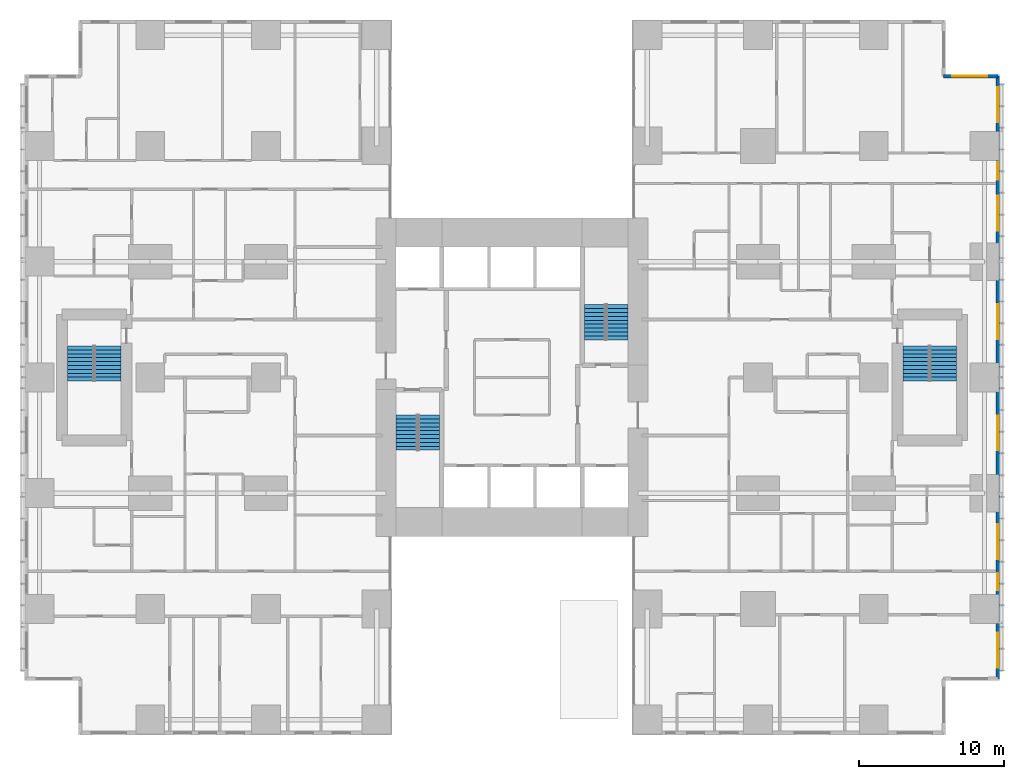
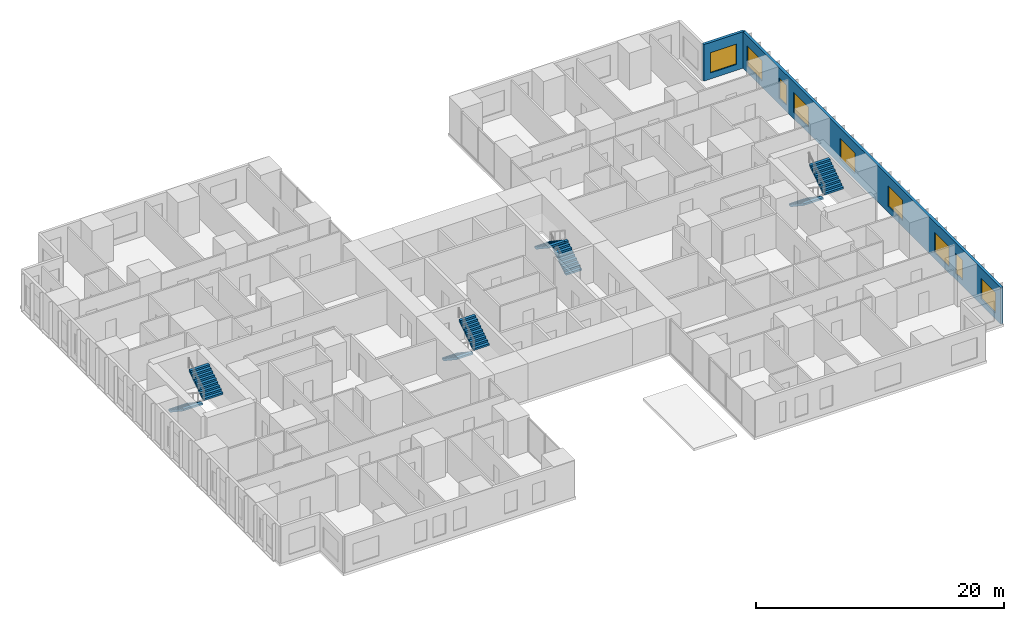
# One storey, part 21 of 22: 9 windows, 8 stair flights, 2 walls, 9 openings, 4 elements without a shape of their own.
"""IFC4 building model written with IfcOpenShell, lengths in metres."""

from ifc_helpers import new_model, si_unit, direction, frame, frame_2d, origin, place, context, subcontext, project, spatial, polyline, rectangle, outline, extrude, material, layer, layer_set, type_object, element, fill, aggregate, save


model = new_model("IFC4")

# Units and contexts
model_context = context("Model", 3, precision=1e-05, world=origin(), true_north=direction((0.0, 1.0)))
body_context = subcontext(model_context, "Body", "Model", "MODEL_VIEW")
ifc_project = project(units=[si_unit("LENGTHUNIT", "METRE"), si_unit("AREAUNIT", "SQUARE_METRE"), si_unit("VOLUMEUNIT", "CUBIC_METRE"), si_unit("PLANEANGLEUNIT", "RADIAN"), si_unit("MASSUNIT", "GRAM", prefix="KILO")], contexts=[model_context])

# Site, building, storey
site_placement = place(None, origin())
site = spatial("IfcSite", under=ifc_project, at=site_placement, CompositionType="ELEMENT")
building_placement = place(site_placement, origin())
building = spatial("IfcBuilding", under=site, at=building_placement, Name="Cleftline Residences", CompositionType="ELEMENT")
storey_placement = place(building_placement, frame((0.0, 0.0, 29.60009765625)))
storey = spatial("IfcBuildingStorey", under=building, at=storey_placement, Name="L06", CompositionType="ELEMENT", Elevation=29.60009765625)

# Wall, openings, windows
ifc_material_1 = material(Name="Rendered reinforced concrete blockwork", Category="masonry")
ifc_layer = layer(ifc_material_1, 0.25)
ifc_layer_set = layer_set([ifc_layer], Name="EXTERNAL WALL 250")
wall_type = type_object("IfcWallType", Name="EXTERNAL WALL 250", PredefinedType="SOLIDWALL", material=ifc_layer_set)
wall_1_placement = place(storey_placement, frame((66.574951171875, 3.175048828125, 0.0), z_axis=(0.0, 0.0, 1.0), x_axis=(0.0, 1.0, 0.0)))
wall_1 = element("IfcWall", 1, at=wall_1_placement, inside=storey, type_object=wall_type, Name="External wall", PredefinedType="SOLIDWALL", context=body_context, shape_type="SweptSolid", body=[
    extrude(rectangle(XDim=41.64990234375, YDim=0.25, at=frame_2d((20.824951171875, 0.0))), origin(), (0.0, 0.0, 1.0), 3.599853515625),
])
opening_1_placement = place(wall_1_placement, frame((0.77490234375, 0.0, 0.60009765625)))
opening_1 = element("IfcOpeningElement", 2, at=opening_1_placement, cuts=wall_1, Name="Opening W6", PredefinedType="OPENING", context=body_context, shape_type="SweptSolid", body=[
    extrude(rectangle(XDim=2.39990234375, YDim=2.0, at=frame_2d((1.199951171875, 1.0))), frame((0.0, 0.135009765625, 0.0), z_axis=(0.0, -1.0, 0.0), x_axis=(1.0, 0.0, 0.0)), (0.0, 0.0, 1.0), 0.27001953125),
])
opening_2_placement = place(wall_1_placement, frame((6.10009765625, 0.0, 0.60009765625)))
opening_2 = element("IfcOpeningElement", 3, at=opening_2_placement, cuts=wall_1, Name="Opening W8", PredefinedType="OPENING", context=body_context, shape_type="SweptSolid", body=[
    extrude(rectangle(XDim=1.199951171875, YDim=2.0, at=frame_2d((0.60009765625, 1.0))), frame((0.0, 0.135009765625, 0.0), z_axis=(0.0, -1.0, 0.0), x_axis=(1.0, 0.0, 0.0)), (0.0, 0.0, 1.0), 0.27001953125),
])
opening_3_placement = place(wall_1_placement, frame((8.27490234375, 0.0, 0.60009765625)))
opening_3 = element("IfcOpeningElement", 4, at=opening_3_placement, cuts=wall_1, Name="Opening W6", PredefinedType="OPENING", context=body_context, shape_type="SweptSolid", body=[
    extrude(rectangle(XDim=2.39990234375, YDim=2.0, at=frame_2d((1.199951171875, 1.0))), frame((0.0, 0.135009765625, 0.0), z_axis=(0.0, -1.0, 0.0), x_axis=(1.0, 0.0, 0.0)), (0.0, 0.0, 1.0), 0.27001953125),
])
opening_4_placement = place(wall_1_placement, frame((15.77490234375, 0.0, 0.60009765625)))
opening_4 = element("IfcOpeningElement", 5, at=opening_4_placement, cuts=wall_1, Name="Opening W6", PredefinedType="OPENING", context=body_context, shape_type="SweptSolid", body=[
    extrude(rectangle(XDim=2.39990234375, YDim=2.0, at=frame_2d((1.199951171875, 1.0))), frame((0.0, 0.135009765625, 0.0), z_axis=(0.0, -1.0, 0.0), x_axis=(1.0, 0.0, 0.0)), (0.0, 0.0, 1.0), 0.27001953125),
])
opening_5_placement = place(wall_1_placement, frame((23.47509765625, 0.0, 0.60009765625)))
opening_5 = element("IfcOpeningElement", 6, at=opening_5_placement, cuts=wall_1, Name="Opening W6", PredefinedType="OPENING", context=body_context, shape_type="SweptSolid", body=[
    extrude(rectangle(XDim=2.39990234375, YDim=2.0, at=frame_2d((1.199951171875, 1.0))), frame((0.0, 0.135009765625, 0.0), z_axis=(0.0, -1.0, 0.0), x_axis=(1.0, 0.0, 0.0)), (0.0, 0.0, 1.0), 0.27001953125),
])
opening_6_placement = place(wall_1_placement, frame((30.97509765625, 0.0, 0.60009765625)))
opening_6 = element("IfcOpeningElement", 7, at=opening_6_placement, cuts=wall_1, Name="Opening W6", PredefinedType="OPENING", context=body_context, shape_type="SweptSolid", body=[
    extrude(rectangle(XDim=2.39990234375, YDim=2.0, at=frame_2d((1.199951171875, 1.0))), frame((0.0, 0.135009765625, 0.0), z_axis=(0.0, -1.0, 0.0), x_axis=(1.0, 0.0, 0.0)), (0.0, 0.0, 1.0), 0.27001953125),
])
opening_7_placement = place(wall_1_placement, frame((34.5, 0.0, 0.60009765625)))
opening_7 = element("IfcOpeningElement", 8, at=opening_7_placement, cuts=wall_1, Name="Opening W8", PredefinedType="OPENING", context=body_context, shape_type="SweptSolid", body=[
    extrude(rectangle(XDim=1.199951171875, YDim=2.0, at=frame_2d((0.60009765625, 1.0))), frame((0.0, 0.135009765625, 0.0), z_axis=(0.0, -1.0, 0.0), x_axis=(1.0, 0.0, 0.0)), (0.0, 0.0, 1.0), 0.27001953125),
])
opening_8_placement = place(wall_1_placement, frame((38.47509765625, 0.0, 0.60009765625)))
opening_8 = element("IfcOpeningElement", 9, at=opening_8_placement, cuts=wall_1, Name="Opening W6", PredefinedType="OPENING", context=body_context, shape_type="SweptSolid", body=[
    extrude(rectangle(XDim=2.39990234375, YDim=2.0, at=frame_2d((1.199951171875, 1.0))), frame((0.0, 0.135009765625, 0.0), z_axis=(0.0, -1.0, 0.0), x_axis=(1.0, 0.0, 0.0)), (0.0, 0.0, 1.0), 0.27001953125),
])
ifc_material_2 = material(Name="Aluminium frame, clear double glazing", Category="aluminium")
window_type_1 = type_object("IfcWindowType", Name="WINDOW 1200X2000", PartitioningType="DOUBLE_PANEL_VERTICAL", PredefinedType="WINDOW", material=ifc_material_2)
window_1_placement = place(opening_2_placement, origin())
window_1 = element("IfcWindow", 10, at=window_1_placement, inside=storey, type_object=window_type_1, Name="Window", OverallHeight=2.0, OverallWidth=1.199951171875, PartitioningType="SINGLE_PANEL", PredefinedType="WINDOW", context=body_context, shape_type="SweptSolid", body=[
    extrude(rectangle(XDim=1.199951171875, YDim=2.0, at=frame_2d((0.60009765625, 1.0))), frame((0.0, 0.030029296875, 0.0), z_axis=(0.0, -1.0, 0.0), x_axis=(1.0, 0.0, 0.0)), (0.0, 0.0, 1.0), 0.06005859375),
])
fill(opening_2, window_1)
window_2_placement = place(opening_7_placement, origin())
window_2 = element("IfcWindow", 11, at=window_2_placement, inside=storey, type_object=window_type_1, Name="Window", OverallHeight=2.0, OverallWidth=1.199951171875, PartitioningType="SINGLE_PANEL", PredefinedType="WINDOW", context=body_context, shape_type="SweptSolid", body=[
    extrude(rectangle(XDim=1.199951171875, YDim=2.0, at=frame_2d((0.60009765625, 1.0))), frame((0.0, 0.030029296875, 0.0), z_axis=(0.0, -1.0, 0.0), x_axis=(1.0, 0.0, 0.0)), (0.0, 0.0, 1.0), 0.06005859375),
])
fill(opening_7, window_2)
ifc_material_3 = material(Name="Aluminium frame, clear double glazing", Category="aluminium")
window_type_2 = type_object("IfcWindowType", Name="WINDOW 2400X2000", PartitioningType="DOUBLE_PANEL_VERTICAL", PredefinedType="WINDOW", material=ifc_material_3)
window_3_placement = place(opening_1_placement, origin())
window_3 = element("IfcWindow", 12, at=window_3_placement, inside=storey, type_object=window_type_2, Name="Window", OverallHeight=2.0, OverallWidth=2.39990234375, PartitioningType="SINGLE_PANEL", PredefinedType="WINDOW", context=body_context, shape_type="SweptSolid", body=[
    extrude(rectangle(XDim=2.39990234375, YDim=2.0, at=frame_2d((1.199951171875, 1.0))), frame((0.0, 0.030029296875, 0.0), z_axis=(0.0, -1.0, 0.0), x_axis=(1.0, 0.0, 0.0)), (0.0, 0.0, 1.0), 0.06005859375),
])
fill(opening_1, window_3)
window_4_placement = place(opening_3_placement, origin())
window_4 = element("IfcWindow", 13, at=window_4_placement, inside=storey, type_object=window_type_2, Name="Window", OverallHeight=2.0, OverallWidth=2.39990234375, PartitioningType="SINGLE_PANEL", PredefinedType="WINDOW", context=body_context, shape_type="SweptSolid", body=[
    extrude(rectangle(XDim=2.39990234375, YDim=2.0, at=frame_2d((1.199951171875, 1.0))), frame((0.0, 0.030029296875, 0.0), z_axis=(0.0, -1.0, 0.0), x_axis=(1.0, 0.0, 0.0)), (0.0, 0.0, 1.0), 0.06005859375),
])
fill(opening_3, window_4)
window_5_placement = place(opening_4_placement, origin())
window_5 = element("IfcWindow", 14, at=window_5_placement, inside=storey, type_object=window_type_2, Name="Window", OverallHeight=2.0, OverallWidth=2.39990234375, PartitioningType="SINGLE_PANEL", PredefinedType="WINDOW", context=body_context, shape_type="SweptSolid", body=[
    extrude(rectangle(XDim=2.39990234375, YDim=2.0, at=frame_2d((1.199951171875, 1.0))), frame((0.0, 0.030029296875, 0.0), z_axis=(0.0, -1.0, 0.0), x_axis=(1.0, 0.0, 0.0)), (0.0, 0.0, 1.0), 0.06005859375),
])
fill(opening_4, window_5)
window_6_placement = place(opening_5_placement, origin())
window_6 = element("IfcWindow", 15, at=window_6_placement, inside=storey, type_object=window_type_2, Name="Window", OverallHeight=2.0, OverallWidth=2.39990234375, PartitioningType="SINGLE_PANEL", PredefinedType="WINDOW", context=body_context, shape_type="SweptSolid", body=[
    extrude(rectangle(XDim=2.39990234375, YDim=2.0, at=frame_2d((1.199951171875, 1.0))), frame((0.0, 0.030029296875, 0.0), z_axis=(0.0, -1.0, 0.0), x_axis=(1.0, 0.0, 0.0)), (0.0, 0.0, 1.0), 0.06005859375),
])
fill(opening_5, window_6)
window_7_placement = place(opening_6_placement, origin())
window_7 = element("IfcWindow", 16, at=window_7_placement, inside=storey, type_object=window_type_2, Name="Window", OverallHeight=2.0, OverallWidth=2.39990234375, PartitioningType="SINGLE_PANEL", PredefinedType="WINDOW", context=body_context, shape_type="SweptSolid", body=[
    extrude(rectangle(XDim=2.39990234375, YDim=2.0, at=frame_2d((1.199951171875, 1.0))), frame((0.0, 0.030029296875, 0.0), z_axis=(0.0, -1.0, 0.0), x_axis=(1.0, 0.0, 0.0)), (0.0, 0.0, 1.0), 0.06005859375),
])
fill(opening_6, window_7)
window_8_placement = place(opening_8_placement, origin())
window_8 = element("IfcWindow", 17, at=window_8_placement, inside=storey, type_object=window_type_2, Name="Window", OverallHeight=2.0, OverallWidth=2.39990234375, PartitioningType="SINGLE_PANEL", PredefinedType="WINDOW", context=body_context, shape_type="SweptSolid", body=[
    extrude(rectangle(XDim=2.39990234375, YDim=2.0, at=frame_2d((1.199951171875, 1.0))), frame((0.0, 0.030029296875, 0.0), z_axis=(0.0, -1.0, 0.0), x_axis=(1.0, 0.0, 0.0)), (0.0, 0.0, 1.0), 0.06005859375),
])
fill(opening_8, window_8)

# Wall, opening, window
wall_2_placement = place(storey_placement, frame((66.574951171875, 44.824951171875, 0.0), z_axis=(0.0, 0.0, 1.0), x_axis=(-1.0, 0.0, 0.0)))
wall_2 = element("IfcWall", 18, at=wall_2_placement, inside=storey, type_object=wall_type, Name="External wall", PredefinedType="SOLIDWALL", context=body_context, shape_type="SweptSolid", body=[
    extrude(rectangle(XDim=3.75, YDim=0.25, at=frame_2d((1.875, 0.0))), origin(), (0.0, 0.0, 1.0), 3.599853515625),
])
opening_9_placement = place(wall_2_placement, frame((0.737548828125, 0.0, 0.60009765625)))
opening_9 = element("IfcOpeningElement", 19, at=opening_9_placement, cuts=wall_2, Name="Opening W6", PredefinedType="OPENING", context=body_context, shape_type="SweptSolid", body=[
    extrude(rectangle(XDim=2.39990234375, YDim=2.0, at=frame_2d((1.199951171875, 1.0))), frame((0.0, 0.135009765625, 0.0), z_axis=(0.0, -1.0, 0.0), x_axis=(1.0, 0.0, 0.0)), (0.0, 0.0, 1.0), 0.27001953125),
])
window_9_placement = place(opening_9_placement, origin())
window_9 = element("IfcWindow", 20, at=window_9_placement, inside=storey, type_object=window_type_2, Name="Window", OverallHeight=2.0, OverallWidth=2.39990234375, PartitioningType="SINGLE_PANEL", PredefinedType="WINDOW", context=body_context, shape_type="SweptSolid", body=[
    extrude(rectangle(XDim=2.39990234375, YDim=2.0, at=frame_2d((1.199951171875, 1.0))), frame((0.0, 0.030029296875, 0.0), z_axis=(0.0, -1.0, 0.0), x_axis=(1.0, 0.0, 0.0)), (0.0, 0.0, 1.0), 0.06005859375),
])
fill(opening_9, window_9)

# Stair, stair flights
ifc_material_4 = material(Name="Concrete B45, stone treads", Category="masonry")
stair_type_1 = type_object("IfcStairType", Name="STAIR A 1450 WIDE 180 RISER", PredefinedType="HALF_TURN_STAIR", material=ifc_material_4)
stair_1_placement = place(storey_placement, origin())
stair_1 = element("IfcStair", 21, at=stair_1_placement, inside=storey, type_object=stair_type_1, Name="Stair A L06", PredefinedType="HALF_TURN_STAIR")
ifc_material_5 = material(Name="Concrete B45", Category="concrete")
stair_flight_type_1 = type_object("IfcStairFlightType", Name="STAIR A FLIGHT 1450X180", PredefinedType="STRAIGHT", material=ifc_material_5)
stair_flight_1_placement = place(storey_placement, frame((25.72509765625, 21.39990234375, 0.0), z_axis=(0.0, 0.0, 1.0), x_axis=(0.0, -1.0, 0.0)))
stair_flight_1 = element("IfcStairFlight", 22, at=stair_flight_1_placement, type_object=stair_flight_type_1, Name="ST-A flight 1", NumberOfRisers=10, NumberOfTreads=9, PredefinedType="STRAIGHT", RiserHeight=0.18, TreadLength=0.27, context=body_context, shape_type="SweptSolid", body=[
    extrude(outline(polyline([(0.0, 0.0), (0.0, 0.013916015625), (0.0, 0.027587890625), (0.0, 0.04150390625), (0.0, 0.055419921875), (0.0, 0.0693359375), (0.0, 0.0830078125), (0.0, 0.096923828125), (0.0, 0.11083984375), (0.0, 0.12451171875), (0.0, 0.138427734375), (0.0, 0.15234375), (0.0, 0.166259765625), (0.0, 0.179931640625), (0.27001953125, 0.179931640625), (0.27001953125, 0.360107421875), (0.5400390625, 0.360107421875), (0.5400390625, 0.5400390625), (0.81005859375, 0.5400390625), (0.81005859375, 0.719970703125), (1.080078125, 0.719970703125), (1.080078125, 0.89990234375), (1.35009765625, 0.89990234375), (1.35009765625, 1.080078125), (1.6201171875, 1.080078125), (1.6201171875, 1.260009765625), (1.889892578125, 1.260009765625), (1.889892578125, 1.43994140625), (2.159912109375, 1.43994140625), (2.159912109375, 1.6201171875), (2.429931640625, 1.6201171875), (2.429931640625, 1.800048828125), (2.429931640625, 1.772216796875), (2.429931640625, 1.74462890625), (2.429931640625, 1.716796875), (2.429931640625, 1.689208984375), (2.429931640625, 1.661376953125), (2.429931640625, 1.6337890625), (2.429931640625, 1.60595703125), (2.429931640625, 1.578369140625), (2.429931640625, 1.550537109375), (2.429931640625, 1.52294921875), (2.429931640625, 1.495361328125), (2.429931640625, 1.467529296875), (2.429931640625, 1.43994140625), (0.270263671875, 0.0), (0.0, 0.0)])), frame((0.0, 0.72509765625, 0.0), z_axis=(0.0, -1.0, 0.0), x_axis=(1.0, 0.0, 0.0)), (0.0, 0.0, 1.0), 1.449951171875),
])
stair_flight_2_placement = place(storey_placement, frame((27.27490234375, 18.969970703125, 1.7998046875), z_axis=(0.0, 0.0, 1.0), x_axis=(0.0, 1.0, 0.0)))
stair_flight_2 = element("IfcStairFlight", 23, at=stair_flight_2_placement, type_object=stair_flight_type_1, Name="ST-A flight 2", NumberOfRisers=10, NumberOfTreads=9, PredefinedType="STRAIGHT", RiserHeight=0.18, TreadLength=0.27, context=body_context, shape_type="SweptSolid", body=[
    extrude(outline(polyline([(0.0, 0.0), (0.0, 0.013916015625), (0.0, 0.027587890625), (0.0, 0.04150390625), (0.0, 0.055419921875), (0.0, 0.0693359375), (0.0, 0.0830078125), (0.0, 0.096923828125), (0.0, 0.11083984375), (0.0, 0.12451171875), (0.0, 0.138427734375), (0.0, 0.15234375), (0.0, 0.166259765625), (0.0, 0.179931640625), (0.27001953125, 0.179931640625), (0.27001953125, 0.360107421875), (0.5400390625, 0.360107421875), (0.5400390625, 0.5400390625), (0.81005859375, 0.5400390625), (0.81005859375, 0.719970703125), (1.080078125, 0.719970703125), (1.080078125, 0.89990234375), (1.35009765625, 0.89990234375), (1.35009765625, 1.080078125), (1.6201171875, 1.080078125), (1.6201171875, 1.260009765625), (1.889892578125, 1.260009765625), (1.889892578125, 1.43994140625), (2.159912109375, 1.43994140625), (2.159912109375, 1.6201171875), (2.429931640625, 1.6201171875), (2.429931640625, 1.800048828125), (2.429931640625, 1.772216796875), (2.429931640625, 1.74462890625), (2.429931640625, 1.716796875), (2.429931640625, 1.689208984375), (2.429931640625, 1.661376953125), (2.429931640625, 1.6337890625), (2.429931640625, 1.60595703125), (2.429931640625, 1.578369140625), (2.429931640625, 1.550537109375), (2.429931640625, 1.52294921875), (2.429931640625, 1.495361328125), (2.429931640625, 1.467529296875), (2.429931640625, 1.43994140625), (0.270263671875, 0.0), (0.0, 0.0)])), frame((0.0, 0.72509765625, 0.0), z_axis=(0.0, -1.0, 0.0), x_axis=(1.0, 0.0, 0.0)), (0.0, 0.0, 1.0), 1.449951171875),
])
aggregate(stair_1, [stair_flight_1, stair_flight_2])

ifc_material_6 = material(Name="Concrete B45, stone treads", Category="masonry")
stair_type_2 = type_object("IfcStairType", Name="STAIR B 1450 WIDE 180 RISER", PredefinedType="HALF_TURN_STAIR", material=ifc_material_6)
stair_2_placement = place(storey_placement, origin())
stair_2 = element("IfcStair", 24, at=stair_2_placement, inside=storey, type_object=stair_type_2, Name="Stair B L06", PredefinedType="HALF_TURN_STAIR")
ifc_material_7 = material(Name="Concrete B45", Category="concrete")
stair_flight_type_2 = type_object("IfcStairFlightType", Name="STAIR B FLIGHT 1450X180", PredefinedType="STRAIGHT", material=ifc_material_7)
stair_flight_3_placement = place(storey_placement, frame((40.27490234375, 26.60009765625, 0.0), z_axis=(0.0, 0.0, 1.0), x_axis=(0.0, 1.0, 0.0)))
stair_flight_3 = element("IfcStairFlight", 25, at=stair_flight_3_placement, type_object=stair_flight_type_2, Name="ST-B flight 1", NumberOfRisers=10, NumberOfTreads=9, PredefinedType="STRAIGHT", RiserHeight=0.18, TreadLength=0.27, context=body_context, shape_type="SweptSolid", body=[
    extrude(outline(polyline([(0.0, 0.0), (0.0, 0.013916015625), (0.0, 0.027587890625), (0.0, 0.04150390625), (0.0, 0.055419921875), (0.0, 0.0693359375), (0.0, 0.0830078125), (0.0, 0.096923828125), (0.0, 0.11083984375), (0.0, 0.12451171875), (0.0, 0.138427734375), (0.0, 0.15234375), (0.0, 0.166259765625), (0.0, 0.179931640625), (0.27001953125, 0.179931640625), (0.27001953125, 0.360107421875), (0.5400390625, 0.360107421875), (0.5400390625, 0.5400390625), (0.81005859375, 0.5400390625), (0.81005859375, 0.719970703125), (1.080078125, 0.719970703125), (1.080078125, 0.89990234375), (1.35009765625, 0.89990234375), (1.35009765625, 1.080078125), (1.6201171875, 1.080078125), (1.6201171875, 1.260009765625), (1.889892578125, 1.260009765625), (1.889892578125, 1.43994140625), (2.159912109375, 1.43994140625), (2.159912109375, 1.6201171875), (2.429931640625, 1.6201171875), (2.429931640625, 1.800048828125), (2.429931640625, 1.772216796875), (2.429931640625, 1.74462890625), (2.429931640625, 1.716796875), (2.429931640625, 1.689208984375), (2.429931640625, 1.661376953125), (2.429931640625, 1.6337890625), (2.429931640625, 1.60595703125), (2.429931640625, 1.578369140625), (2.429931640625, 1.550537109375), (2.429931640625, 1.52294921875), (2.429931640625, 1.495361328125), (2.429931640625, 1.467529296875), (2.429931640625, 1.43994140625), (0.270263671875, 0.0), (0.0, 0.0)])), frame((0.0, 0.72509765625, 0.0), z_axis=(0.0, -1.0, 0.0), x_axis=(1.0, 0.0, 0.0)), (0.0, 0.0, 1.0), 1.449951171875),
])
stair_flight_4_placement = place(storey_placement, frame((38.72509765625, 29.030029296875, 1.7998046875), z_axis=(0.0, 0.0, 1.0), x_axis=(0.0, -1.0, 0.0)))
stair_flight_4 = element("IfcStairFlight", 26, at=stair_flight_4_placement, type_object=stair_flight_type_2, Name="ST-B flight 2", NumberOfRisers=10, NumberOfTreads=9, PredefinedType="STRAIGHT", RiserHeight=0.18, TreadLength=0.27, context=body_context, shape_type="SweptSolid", body=[
    extrude(outline(polyline([(0.0, 0.0), (0.0, 0.013916015625), (0.0, 0.027587890625), (0.0, 0.04150390625), (0.0, 0.055419921875), (0.0, 0.0693359375), (0.0, 0.0830078125), (0.0, 0.096923828125), (0.0, 0.11083984375), (0.0, 0.12451171875), (0.0, 0.138427734375), (0.0, 0.15234375), (0.0, 0.166259765625), (0.0, 0.179931640625), (0.27001953125, 0.179931640625), (0.27001953125, 0.360107421875), (0.5400390625, 0.360107421875), (0.5400390625, 0.5400390625), (0.81005859375, 0.5400390625), (0.81005859375, 0.719970703125), (1.080078125, 0.719970703125), (1.080078125, 0.89990234375), (1.35009765625, 0.89990234375), (1.35009765625, 1.080078125), (1.6201171875, 1.080078125), (1.6201171875, 1.260009765625), (1.889892578125, 1.260009765625), (1.889892578125, 1.43994140625), (2.159912109375, 1.43994140625), (2.159912109375, 1.6201171875), (2.429931640625, 1.6201171875), (2.429931640625, 1.800048828125), (2.429931640625, 1.772216796875), (2.429931640625, 1.74462890625), (2.429931640625, 1.716796875), (2.429931640625, 1.689208984375), (2.429931640625, 1.661376953125), (2.429931640625, 1.6337890625), (2.429931640625, 1.60595703125), (2.429931640625, 1.578369140625), (2.429931640625, 1.550537109375), (2.429931640625, 1.52294921875), (2.429931640625, 1.495361328125), (2.429931640625, 1.467529296875), (2.429931640625, 1.43994140625), (0.270263671875, 0.0), (0.0, 0.0)])), frame((0.0, 0.72509765625, 0.0), z_axis=(0.0, -1.0, 0.0), x_axis=(1.0, 0.0, 0.0)), (0.0, 0.0, 1.0), 1.449951171875),
])
aggregate(stair_2, [stair_flight_3, stair_flight_4])

ifc_material_8 = material(Name="Concrete B45, stone treads", Category="masonry")
stair_type_3 = type_object("IfcStairType", Name="STAIR E 1800 WIDE 180 RISER", PredefinedType="HALF_TURN_STAIR", material=ifc_material_8)
stair_3_placement = place(storey_placement, origin())
stair_3 = element("IfcStair", 27, at=stair_3_placement, inside=storey, type_object=stair_type_3, Name="Stair E L06", PredefinedType="HALF_TURN_STAIR")
ifc_material_9 = material(Name="Concrete B45", Category="concrete")
stair_flight_type_3 = type_object("IfcStairFlightType", Name="STAIR E FLIGHT 1800X180", PredefinedType="STRAIGHT", material=ifc_material_9)
stair_flight_5_placement = place(storey_placement, frame((60.925048828125, 26.175048828125, 0.0), z_axis=(0.0, 0.0, 1.0), x_axis=(0.0, -1.0, 0.0)))
stair_flight_5 = element("IfcStairFlight", 28, at=stair_flight_5_placement, type_object=stair_flight_type_3, Name="ST-E flight 1", NumberOfRisers=10, NumberOfTreads=9, PredefinedType="STRAIGHT", RiserHeight=0.18, TreadLength=0.27, context=body_context, shape_type="SweptSolid", body=[
    extrude(outline(polyline([(0.0, 0.0), (0.0, 0.013916015625), (0.0, 0.027587890625), (0.0, 0.04150390625), (0.0, 0.055419921875), (0.0, 0.0693359375), (0.0, 0.0830078125), (0.0, 0.096923828125), (0.0, 0.11083984375), (0.0, 0.12451171875), (0.0, 0.138427734375), (0.0, 0.15234375), (0.0, 0.166259765625), (0.0, 0.179931640625), (0.27001953125, 0.179931640625), (0.27001953125, 0.360107421875), (0.5400390625, 0.360107421875), (0.5400390625, 0.5400390625), (0.81005859375, 0.5400390625), (0.81005859375, 0.719970703125), (1.080078125, 0.719970703125), (1.080078125, 0.89990234375), (1.35009765625, 0.89990234375), (1.35009765625, 1.080078125), (1.6201171875, 1.080078125), (1.6201171875, 1.260009765625), (1.889892578125, 1.260009765625), (1.889892578125, 1.43994140625), (2.159912109375, 1.43994140625), (2.159912109375, 1.6201171875), (2.429931640625, 1.6201171875), (2.429931640625, 1.800048828125), (2.429931640625, 1.772216796875), (2.429931640625, 1.74462890625), (2.429931640625, 1.716796875), (2.429931640625, 1.689208984375), (2.429931640625, 1.661376953125), (2.429931640625, 1.6337890625), (2.429931640625, 1.60595703125), (2.429931640625, 1.578369140625), (2.429931640625, 1.550537109375), (2.429931640625, 1.52294921875), (2.429931640625, 1.495361328125), (2.429931640625, 1.467529296875), (2.429931640625, 1.43994140625), (0.270263671875, 0.0), (0.0, 0.0)])), frame((0.0, 0.89990234375, 0.0), z_axis=(0.0, -1.0, 0.0), x_axis=(1.0, 0.0, 0.0)), (0.0, 0.0, 1.0), 1.800048828125),
])
stair_flight_6_placement = place(storey_placement, frame((62.824951171875, 23.7451171875, 1.7998046875), z_axis=(0.0, 0.0, 1.0), x_axis=(0.0, 1.0, 0.0)))
stair_flight_6 = element("IfcStairFlight", 29, at=stair_flight_6_placement, type_object=stair_flight_type_3, Name="ST-E flight 2", NumberOfRisers=10, NumberOfTreads=9, PredefinedType="STRAIGHT", RiserHeight=0.18, TreadLength=0.27, context=body_context, shape_type="SweptSolid", body=[
    extrude(outline(polyline([(0.0, 0.0), (0.0, 0.013916015625), (0.0, 0.027587890625), (0.0, 0.04150390625), (0.0, 0.055419921875), (0.0, 0.0693359375), (0.0, 0.0830078125), (0.0, 0.096923828125), (0.0, 0.11083984375), (0.0, 0.12451171875), (0.0, 0.138427734375), (0.0, 0.15234375), (0.0, 0.166259765625), (0.0, 0.179931640625), (0.27001953125, 0.179931640625), (0.27001953125, 0.360107421875), (0.5400390625, 0.360107421875), (0.5400390625, 0.5400390625), (0.81005859375, 0.5400390625), (0.81005859375, 0.719970703125), (1.080078125, 0.719970703125), (1.080078125, 0.89990234375), (1.35009765625, 0.89990234375), (1.35009765625, 1.080078125), (1.6201171875, 1.080078125), (1.6201171875, 1.260009765625), (1.889892578125, 1.260009765625), (1.889892578125, 1.43994140625), (2.159912109375, 1.43994140625), (2.159912109375, 1.6201171875), (2.429931640625, 1.6201171875), (2.429931640625, 1.800048828125), (2.429931640625, 1.772216796875), (2.429931640625, 1.74462890625), (2.429931640625, 1.716796875), (2.429931640625, 1.689208984375), (2.429931640625, 1.661376953125), (2.429931640625, 1.6337890625), (2.429931640625, 1.60595703125), (2.429931640625, 1.578369140625), (2.429931640625, 1.550537109375), (2.429931640625, 1.52294921875), (2.429931640625, 1.495361328125), (2.429931640625, 1.467529296875), (2.429931640625, 1.43994140625), (0.270263671875, 0.0), (0.0, 0.0)])), frame((0.0, 0.89990234375, 0.0), z_axis=(0.0, -1.0, 0.0), x_axis=(1.0, 0.0, 0.0)), (0.0, 0.0, 1.0), 1.800048828125),
])
aggregate(stair_3, [stair_flight_5, stair_flight_6])

ifc_material_10 = material(Name="Concrete B45, stone treads", Category="masonry")
stair_type_4 = type_object("IfcStairType", Name="STAIR W 1800 WIDE 180 RISER", PredefinedType="HALF_TURN_STAIR", material=ifc_material_10)
stair_4_placement = place(storey_placement, origin())
stair_4 = element("IfcStair", 30, at=stair_4_placement, inside=storey, type_object=stair_type_4, Name="Stair W L06", PredefinedType="HALF_TURN_STAIR")
ifc_material_11 = material(Name="Concrete B45", Category="concrete")
stair_flight_type_4 = type_object("IfcStairFlightType", Name="STAIR W FLIGHT 1800X180", PredefinedType="STRAIGHT", material=ifc_material_11)
stair_flight_7_placement = place(storey_placement, frame((3.175048828125, 26.175048828125, 0.0), z_axis=(0.0, 0.0, 1.0), x_axis=(0.0, -1.0, 0.0)))
stair_flight_7 = element("IfcStairFlight", 31, at=stair_flight_7_placement, type_object=stair_flight_type_4, Name="ST-W flight 1", NumberOfRisers=10, NumberOfTreads=9, PredefinedType="STRAIGHT", RiserHeight=0.18, TreadLength=0.27, context=body_context, shape_type="SweptSolid", body=[
    extrude(outline(polyline([(0.0, 0.0), (0.0, 0.013916015625), (0.0, 0.027587890625), (0.0, 0.04150390625), (0.0, 0.055419921875), (0.0, 0.0693359375), (0.0, 0.0830078125), (0.0, 0.096923828125), (0.0, 0.11083984375), (0.0, 0.12451171875), (0.0, 0.138427734375), (0.0, 0.15234375), (0.0, 0.166259765625), (0.0, 0.179931640625), (0.27001953125, 0.179931640625), (0.27001953125, 0.360107421875), (0.5400390625, 0.360107421875), (0.5400390625, 0.5400390625), (0.81005859375, 0.5400390625), (0.81005859375, 0.719970703125), (1.080078125, 0.719970703125), (1.080078125, 0.89990234375), (1.35009765625, 0.89990234375), (1.35009765625, 1.080078125), (1.6201171875, 1.080078125), (1.6201171875, 1.260009765625), (1.889892578125, 1.260009765625), (1.889892578125, 1.43994140625), (2.159912109375, 1.43994140625), (2.159912109375, 1.6201171875), (2.429931640625, 1.6201171875), (2.429931640625, 1.800048828125), (2.429931640625, 1.772216796875), (2.429931640625, 1.74462890625), (2.429931640625, 1.716796875), (2.429931640625, 1.689208984375), (2.429931640625, 1.661376953125), (2.429931640625, 1.6337890625), (2.429931640625, 1.60595703125), (2.429931640625, 1.578369140625), (2.429931640625, 1.550537109375), (2.429931640625, 1.52294921875), (2.429931640625, 1.495361328125), (2.429931640625, 1.467529296875), (2.429931640625, 1.43994140625), (0.270263671875, 0.0), (0.0, 0.0)])), frame((0.0, 0.89990234375, 0.0), z_axis=(0.0, -1.0, 0.0), x_axis=(1.0, 0.0, 0.0)), (0.0, 0.0, 1.0), 1.800048828125),
])
stair_flight_8_placement = place(storey_placement, frame((5.074951171875, 23.7451171875, 1.7998046875), z_axis=(0.0, 0.0, 1.0), x_axis=(0.0, 1.0, 0.0)))
stair_flight_8 = element("IfcStairFlight", 32, at=stair_flight_8_placement, type_object=stair_flight_type_4, Name="ST-W flight 2", NumberOfRisers=10, NumberOfTreads=9, PredefinedType="STRAIGHT", RiserHeight=0.18, TreadLength=0.27, context=body_context, shape_type="SweptSolid", body=[
    extrude(outline(polyline([(0.0, 0.0), (0.0, 0.013916015625), (0.0, 0.027587890625), (0.0, 0.04150390625), (0.0, 0.055419921875), (0.0, 0.0693359375), (0.0, 0.0830078125), (0.0, 0.096923828125), (0.0, 0.11083984375), (0.0, 0.12451171875), (0.0, 0.138427734375), (0.0, 0.15234375), (0.0, 0.166259765625), (0.0, 0.179931640625), (0.27001953125, 0.179931640625), (0.27001953125, 0.360107421875), (0.5400390625, 0.360107421875), (0.5400390625, 0.5400390625), (0.81005859375, 0.5400390625), (0.81005859375, 0.719970703125), (1.080078125, 0.719970703125), (1.080078125, 0.89990234375), (1.35009765625, 0.89990234375), (1.35009765625, 1.080078125), (1.6201171875, 1.080078125), (1.6201171875, 1.260009765625), (1.889892578125, 1.260009765625), (1.889892578125, 1.43994140625), (2.159912109375, 1.43994140625), (2.159912109375, 1.6201171875), (2.429931640625, 1.6201171875), (2.429931640625, 1.800048828125), (2.429931640625, 1.772216796875), (2.429931640625, 1.74462890625), (2.429931640625, 1.716796875), (2.429931640625, 1.689208984375), (2.429931640625, 1.661376953125), (2.429931640625, 1.6337890625), (2.429931640625, 1.60595703125), (2.429931640625, 1.578369140625), (2.429931640625, 1.550537109375), (2.429931640625, 1.52294921875), (2.429931640625, 1.495361328125), (2.429931640625, 1.467529296875), (2.429931640625, 1.43994140625), (0.270263671875, 0.0), (0.0, 0.0)])), frame((0.0, 0.89990234375, 0.0), z_axis=(0.0, -1.0, 0.0), x_axis=(1.0, 0.0, 0.0)), (0.0, 0.0, 1.0), 1.800048828125),
])
aggregate(stair_4, [stair_flight_7, stair_flight_8])

save(model, "model.ifc")
